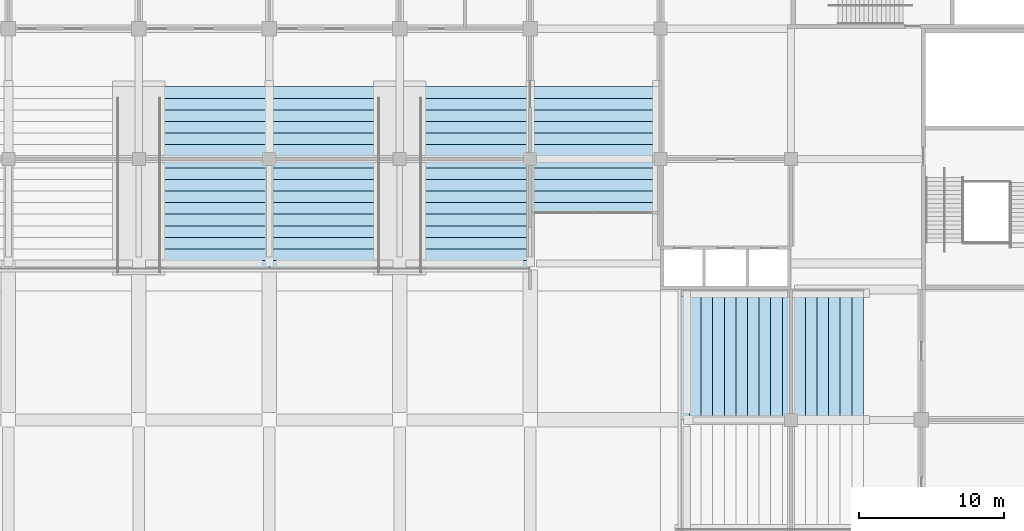
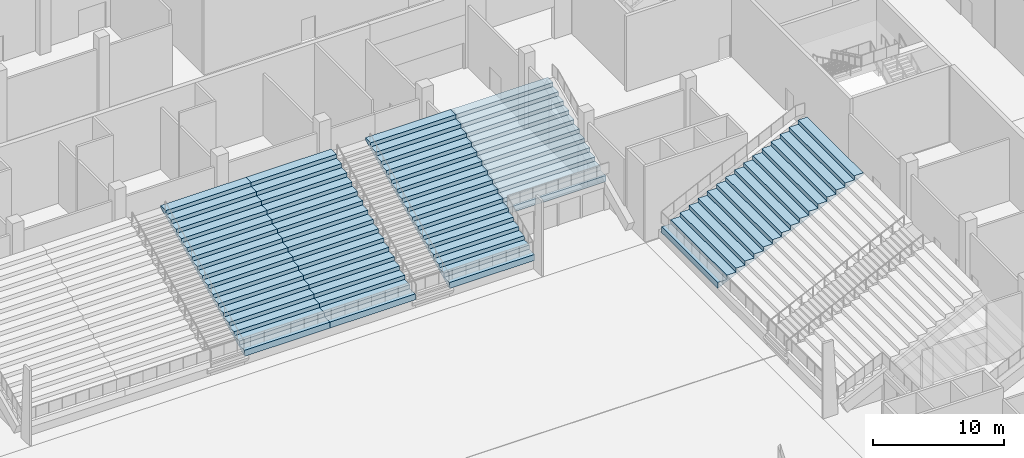
# One storey, part 50 of 92: 5 slabs.
"""IFC4 building model written with IfcOpenShell, lengths in metres."""

from ifc_helpers import new_model, si_unit, direction, origin, place, context, subcontext, project, spatial, faceted_brep, material, layer, layer_set, type_object, element, save


model = new_model("IFC4")

# Units and contexts
model_context = context("Model", 3, precision=1e-05, world=origin(), true_north=direction((0.0, 1.0)))
body_context = subcontext(model_context, "Body", "Model", "MODEL_VIEW")
ifc_project = project(units=[si_unit("LENGTHUNIT", "METRE"), si_unit("AREAUNIT", "SQUARE_METRE"), si_unit("VOLUMEUNIT", "CUBIC_METRE"), si_unit("PLANEANGLEUNIT", "RADIAN"), si_unit("MASSUNIT", "GRAM", prefix="KILO")], contexts=[model_context])

# Site, building, storey
site_placement = place(None, origin())
site = spatial("IfcSite", under=ifc_project, at=site_placement, CompositionType="ELEMENT")
building_placement = place(site_placement, origin())
building = spatial("IfcBuilding", under=site, at=building_placement, Name="Silverbay Arena", CompositionType="ELEMENT")
storey_placement = place(building_placement, origin())
storey = spatial("IfcBuildingStorey", under=building, at=storey_placement, Name="L00", CompositionType="ELEMENT", Elevation=0.0)

# Slabs
ifc_material = material(Name="Concrete Grade C45 precast", Category="concrete")
ifc_layer = layer(ifc_material, 0.56005859375)
ifc_layer_set = layer_set([ifc_layer], Name="Concrete Grade C45 precast")
slab_type = type_object("IfcSlabType", Name="Precast seating tier lower", PredefinedType="USERDEFINED", material=ifc_layer_set)
slab_1_placement = place(storey_placement, origin())
element("IfcSlab", 1, at=slab_1_placement, inside=storey, type_object=slab_type, Name="Stand North lower bay 4", ObjectType="SEATING TIER", PredefinedType="USERDEFINED", context=body_context, shape_type="Brep", body=[
    faceted_brep([(127.5, 100.199951171875, 1.300048828125), (127.5, 101.0, 1.300048828125), (127.5, 101.0, 1.679931640625), (127.5, 101.800048828125, 1.679931640625), (127.5, 101.800048828125, 2.06005859375), (127.5, 102.60009765625, 2.06005859375), (127.5, 102.60009765625, 2.43994140625), (127.5, 103.39990234375, 2.43994140625), (127.5, 103.39990234375, 2.820068359375), (127.5, 104.199951171875, 2.820068359375), (127.5, 104.199951171875, 3.199951171875), (127.5, 105.0, 3.199951171875), (127.5, 105.0, 3.580078125), (127.5, 105.800048828125, 3.580078125), (127.5, 105.800048828125, 3.9599609375), (127.5, 106.60009765625, 3.9599609375), (127.5, 106.60009765625, 4.340087890625), (127.5, 107.39990234375, 4.340087890625), (127.5, 107.39990234375, 4.719970703125), (127.5, 108.199951171875, 4.719970703125), (127.5, 108.199951171875, 5.10009765625), (127.5, 109.0, 5.10009765625), (127.5, 109.0, 5.47998046875), (127.5, 109.800048828125, 5.47998046875), (127.5, 109.800048828125, 5.860107421875), (127.5, 110.60009765625, 5.860107421875), (127.5, 110.60009765625, 6.239990234375), (127.5, 111.39990234375, 6.239990234375), (127.5, 111.39990234375, 6.6201171875), (127.5, 112.199951171875, 6.6201171875), (127.5, 112.199951171875, 7.0), (127.5, 113.0, 7.0), (127.5, 113.0, 6.820068359375), (127.5, 100.199951171875, 0.739990234375), (135.0, 100.199951171875, 0.739990234375), (135.0, 113.0, 6.820068359375), (135.0, 113.0, 7.0), (135.0, 112.199951171875, 7.0), (135.0, 112.199951171875, 6.6201171875), (135.0, 111.39990234375, 6.6201171875), (135.0, 111.39990234375, 6.239990234375), (135.0, 110.60009765625, 6.239990234375), (135.0, 110.60009765625, 5.860107421875), (135.0, 109.800048828125, 5.860107421875), (135.0, 109.800048828125, 5.47998046875), (135.0, 109.0, 5.47998046875), (135.0, 109.0, 5.10009765625), (135.0, 108.199951171875, 5.10009765625), (135.0, 108.199951171875, 4.719970703125), (135.0, 107.39990234375, 4.719970703125), (135.0, 107.39990234375, 4.340087890625), (135.0, 106.60009765625, 4.340087890625), (135.0, 106.60009765625, 3.9599609375), (135.0, 105.800048828125, 3.9599609375), (135.0, 105.800048828125, 3.580078125), (135.0, 105.0, 3.580078125), (135.0, 105.0, 3.199951171875), (135.0, 104.199951171875, 3.199951171875), (135.0, 104.199951171875, 2.820068359375), (135.0, 103.39990234375, 2.820068359375), (135.0, 103.39990234375, 2.43994140625), (135.0, 102.60009765625, 2.43994140625), (135.0, 102.60009765625, 2.06005859375), (135.0, 101.800048828125, 2.06005859375), (135.0, 101.800048828125, 1.679931640625), (135.0, 101.0, 1.679931640625), (135.0, 101.0, 1.300048828125), (135.0, 100.199951171875, 1.300048828125)], [[[0, 1, 2, 3, 4, 5, 6, 7, 8, 9, 10, 11, 12, 13, 14, 15, 16, 17, 18, 19, 20, 21, 22, 23, 24, 25, 26, 27, 28, 29, 30, 31, 32, 33]], [[34, 35, 36, 37, 38, 39, 40, 41, 42, 43, 44, 45, 46, 47, 48, 49, 50, 51, 52, 53, 54, 55, 56, 57, 58, 59, 60, 61, 62, 63, 64, 65, 66, 67]], [[67, 66, 1, 0]], [[66, 65, 2, 1]], [[65, 64, 3, 2]], [[64, 63, 4, 3]], [[63, 62, 5, 4]], [[62, 61, 6, 5]], [[61, 60, 7, 6]], [[60, 59, 8, 7]], [[59, 58, 9, 8]], [[58, 57, 10, 9]], [[57, 56, 11, 10]], [[56, 55, 12, 11]], [[55, 54, 13, 12]], [[54, 53, 14, 13]], [[53, 52, 15, 14]], [[52, 51, 16, 15]], [[51, 50, 17, 16]], [[50, 49, 18, 17]], [[49, 48, 19, 18]], [[48, 47, 20, 19]], [[47, 46, 21, 20]], [[46, 45, 22, 21]], [[45, 44, 23, 22]], [[44, 43, 24, 23]], [[43, 42, 25, 24]], [[42, 41, 26, 25]], [[41, 40, 27, 26]], [[40, 39, 28, 27]], [[39, 38, 29, 28]], [[38, 37, 30, 29]], [[37, 36, 31, 30]], [[36, 35, 32, 31]], [[35, 34, 33, 32]], [[34, 67, 0, 33]]]),
])
slab_2_placement = place(storey_placement, origin())
element("IfcSlab", 2, at=slab_2_placement, inside=storey, type_object=slab_type, Name="Stand North lower bay 5", ObjectType="SEATING TIER", PredefinedType="USERDEFINED", context=body_context, shape_type="Brep", body=[
    faceted_brep([(135.0, 100.199951171875, 1.300048828125), (135.0, 101.0, 1.300048828125), (135.0, 101.0, 1.679931640625), (135.0, 101.800048828125, 1.679931640625), (135.0, 101.800048828125, 2.06005859375), (135.0, 102.60009765625, 2.06005859375), (135.0, 102.60009765625, 2.43994140625), (135.0, 103.39990234375, 2.43994140625), (135.0, 103.39990234375, 2.820068359375), (135.0, 104.199951171875, 2.820068359375), (135.0, 104.199951171875, 3.199951171875), (135.0, 105.0, 3.199951171875), (135.0, 105.0, 3.580078125), (135.0, 105.800048828125, 3.580078125), (135.0, 105.800048828125, 3.9599609375), (135.0, 106.60009765625, 3.9599609375), (135.0, 106.60009765625, 4.340087890625), (135.0, 107.39990234375, 4.340087890625), (135.0, 107.39990234375, 4.719970703125), (135.0, 108.199951171875, 4.719970703125), (135.0, 108.199951171875, 5.10009765625), (135.0, 109.0, 5.10009765625), (135.0, 109.0, 5.47998046875), (135.0, 109.800048828125, 5.47998046875), (135.0, 109.800048828125, 5.860107421875), (135.0, 110.60009765625, 5.860107421875), (135.0, 110.60009765625, 6.239990234375), (135.0, 111.39990234375, 6.239990234375), (135.0, 111.39990234375, 6.6201171875), (135.0, 112.199951171875, 6.6201171875), (135.0, 112.199951171875, 7.0), (135.0, 113.0, 7.0), (135.0, 113.0, 6.820068359375), (135.0, 100.199951171875, 0.739990234375), (142.5, 100.199951171875, 0.739990234375), (142.5, 113.0, 6.820068359375), (142.5, 113.0, 7.0), (142.5, 112.199951171875, 7.0), (142.5, 112.199951171875, 6.6201171875), (142.5, 111.39990234375, 6.6201171875), (142.5, 111.39990234375, 6.239990234375), (142.5, 110.60009765625, 6.239990234375), (142.5, 110.60009765625, 5.860107421875), (142.5, 109.800048828125, 5.860107421875), (142.5, 109.800048828125, 5.47998046875), (142.5, 109.0, 5.47998046875), (142.5, 109.0, 5.10009765625), (142.5, 108.199951171875, 5.10009765625), (142.5, 108.199951171875, 4.719970703125), (142.5, 107.39990234375, 4.719970703125), (142.5, 107.39990234375, 4.340087890625), (142.5, 106.60009765625, 4.340087890625), (142.5, 106.60009765625, 3.9599609375), (142.5, 105.800048828125, 3.9599609375), (142.5, 105.800048828125, 3.580078125), (142.5, 105.0, 3.580078125), (142.5, 105.0, 3.199951171875), (142.5, 104.199951171875, 3.199951171875), (142.5, 104.199951171875, 2.820068359375), (142.5, 103.39990234375, 2.820068359375), (142.5, 103.39990234375, 2.43994140625), (142.5, 102.60009765625, 2.43994140625), (142.5, 102.60009765625, 2.06005859375), (142.5, 101.800048828125, 2.06005859375), (142.5, 101.800048828125, 1.679931640625), (142.5, 101.0, 1.679931640625), (142.5, 101.0, 1.300048828125), (142.5, 100.199951171875, 1.300048828125)], [[[0, 1, 2, 3, 4, 5, 6, 7, 8, 9, 10, 11, 12, 13, 14, 15, 16, 17, 18, 19, 20, 21, 22, 23, 24, 25, 26, 27, 28, 29, 30, 31, 32, 33]], [[34, 35, 36, 37, 38, 39, 40, 41, 42, 43, 44, 45, 46, 47, 48, 49, 50, 51, 52, 53, 54, 55, 56, 57, 58, 59, 60, 61, 62, 63, 64, 65, 66, 67]], [[67, 66, 1, 0]], [[66, 65, 2, 1]], [[65, 64, 3, 2]], [[64, 63, 4, 3]], [[63, 62, 5, 4]], [[62, 61, 6, 5]], [[61, 60, 7, 6]], [[60, 59, 8, 7]], [[59, 58, 9, 8]], [[58, 57, 10, 9]], [[57, 56, 11, 10]], [[56, 55, 12, 11]], [[55, 54, 13, 12]], [[54, 53, 14, 13]], [[53, 52, 15, 14]], [[52, 51, 16, 15]], [[51, 50, 17, 16]], [[50, 49, 18, 17]], [[49, 48, 19, 18]], [[48, 47, 20, 19]], [[47, 46, 21, 20]], [[46, 45, 22, 21]], [[45, 44, 23, 22]], [[44, 43, 24, 23]], [[43, 42, 25, 24]], [[42, 41, 26, 25]], [[41, 40, 27, 26]], [[40, 39, 28, 27]], [[39, 38, 29, 28]], [[38, 37, 30, 29]], [[37, 36, 31, 30]], [[36, 35, 32, 31]], [[35, 34, 33, 32]], [[34, 67, 0, 33]]]),
])
slab_3_placement = place(storey_placement, origin())
element("IfcSlab", 3, at=slab_3_placement, inside=storey, type_object=slab_type, Name="Stand North lower bay 6", ObjectType="SEATING TIER", PredefinedType="USERDEFINED", context=body_context, shape_type="Brep", body=[
    faceted_brep([(145.5, 100.199951171875, 1.300048828125), (145.5, 101.0, 1.300048828125), (145.5, 101.0, 1.679931640625), (145.5, 101.800048828125, 1.679931640625), (145.5, 101.800048828125, 2.06005859375), (145.5, 102.60009765625, 2.06005859375), (145.5, 102.60009765625, 2.43994140625), (145.5, 103.39990234375, 2.43994140625), (145.5, 103.39990234375, 2.820068359375), (145.5, 104.199951171875, 2.820068359375), (145.5, 104.199951171875, 3.199951171875), (145.5, 105.0, 3.199951171875), (145.5, 105.0, 3.580078125), (145.5, 105.800048828125, 3.580078125), (145.5, 105.800048828125, 3.9599609375), (145.5, 106.60009765625, 3.9599609375), (145.5, 106.60009765625, 4.340087890625), (145.5, 107.39990234375, 4.340087890625), (145.5, 107.39990234375, 4.719970703125), (145.5, 108.199951171875, 4.719970703125), (145.5, 108.199951171875, 5.10009765625), (145.5, 109.0, 5.10009765625), (145.5, 109.0, 5.47998046875), (145.5, 109.800048828125, 5.47998046875), (145.5, 109.800048828125, 5.860107421875), (145.5, 110.60009765625, 5.860107421875), (145.5, 110.60009765625, 6.239990234375), (145.5, 111.39990234375, 6.239990234375), (145.5, 111.39990234375, 6.6201171875), (145.5, 112.199951171875, 6.6201171875), (145.5, 112.199951171875, 7.0), (145.5, 113.0, 7.0), (145.5, 113.0, 6.820068359375), (145.5, 100.199951171875, 0.739990234375), (153.0, 100.199951171875, 0.739990234375), (153.0, 113.0, 6.820068359375), (153.0, 113.0, 7.0), (153.0, 112.199951171875, 7.0), (153.0, 112.199951171875, 6.6201171875), (153.0, 111.39990234375, 6.6201171875), (153.0, 111.39990234375, 6.239990234375), (153.0, 110.60009765625, 6.239990234375), (153.0, 110.60009765625, 5.860107421875), (153.0, 109.800048828125, 5.860107421875), (153.0, 109.800048828125, 5.47998046875), (153.0, 109.0, 5.47998046875), (153.0, 109.0, 5.10009765625), (153.0, 108.199951171875, 5.10009765625), (153.0, 108.199951171875, 4.719970703125), (153.0, 107.39990234375, 4.719970703125), (153.0, 107.39990234375, 4.340087890625), (153.0, 106.60009765625, 4.340087890625), (153.0, 106.60009765625, 3.9599609375), (153.0, 105.800048828125, 3.9599609375), (153.0, 105.800048828125, 3.580078125), (153.0, 105.0, 3.580078125), (153.0, 105.0, 3.199951171875), (153.0, 104.199951171875, 3.199951171875), (153.0, 104.199951171875, 2.820068359375), (153.0, 103.39990234375, 2.820068359375), (153.0, 103.39990234375, 2.43994140625), (153.0, 102.60009765625, 2.43994140625), (153.0, 102.60009765625, 2.06005859375), (153.0, 101.800048828125, 2.06005859375), (153.0, 101.800048828125, 1.679931640625), (153.0, 101.0, 1.679931640625), (153.0, 101.0, 1.300048828125), (153.0, 100.199951171875, 1.300048828125)], [[[0, 1, 2, 3, 4, 5, 6, 7, 8, 9, 10, 11, 12, 13, 14, 15, 16, 17, 18, 19, 20, 21, 22, 23, 24, 25, 26, 27, 28, 29, 30, 31, 32, 33]], [[34, 35, 36, 37, 38, 39, 40, 41, 42, 43, 44, 45, 46, 47, 48, 49, 50, 51, 52, 53, 54, 55, 56, 57, 58, 59, 60, 61, 62, 63, 64, 65, 66, 67]], [[67, 66, 1, 0]], [[66, 65, 2, 1]], [[65, 64, 3, 2]], [[64, 63, 4, 3]], [[63, 62, 5, 4]], [[62, 61, 6, 5]], [[61, 60, 7, 6]], [[60, 59, 8, 7]], [[59, 58, 9, 8]], [[58, 57, 10, 9]], [[57, 56, 11, 10]], [[56, 55, 12, 11]], [[55, 54, 13, 12]], [[54, 53, 14, 13]], [[53, 52, 15, 14]], [[52, 51, 16, 15]], [[51, 50, 17, 16]], [[50, 49, 18, 17]], [[49, 48, 19, 18]], [[48, 47, 20, 19]], [[47, 46, 21, 20]], [[46, 45, 22, 21]], [[45, 44, 23, 22]], [[44, 43, 24, 23]], [[43, 42, 25, 24]], [[42, 41, 26, 25]], [[41, 40, 27, 26]], [[40, 39, 28, 27]], [[39, 38, 29, 28]], [[38, 37, 30, 29]], [[37, 36, 31, 30]], [[36, 35, 32, 31]], [[35, 34, 33, 32]], [[34, 67, 0, 33]]]),
])
slab_4_placement = place(storey_placement, origin())
element("IfcSlab", 4, at=slab_4_placement, inside=storey, type_object=slab_type, Name="Stand North lower bay 7", ObjectType="SEATING TIER", PredefinedType="USERDEFINED", context=body_context, shape_type="Brep", body=[
    faceted_brep([(153.0, 104.199951171875, 3.199951171875), (153.0, 105.0, 3.199951171875), (153.0, 105.0, 3.580078125), (153.0, 105.800048828125, 3.580078125), (153.0, 105.800048828125, 3.9599609375), (153.0, 106.60009765625, 3.9599609375), (153.0, 106.60009765625, 4.340087890625), (153.0, 107.39990234375, 4.340087890625), (153.0, 107.39990234375, 4.719970703125), (153.0, 108.199951171875, 4.719970703125), (153.0, 108.199951171875, 5.10009765625), (153.0, 109.0, 5.10009765625), (153.0, 109.0, 5.47998046875), (153.0, 109.800048828125, 5.47998046875), (153.0, 109.800048828125, 5.860107421875), (153.0, 110.60009765625, 5.860107421875), (153.0, 110.60009765625, 6.239990234375), (153.0, 111.39990234375, 6.239990234375), (153.0, 111.39990234375, 6.6201171875), (153.0, 112.199951171875, 6.6201171875), (153.0, 112.199951171875, 7.0), (153.0, 113.0, 7.0), (153.0, 113.0, 6.820068359375), (153.0, 104.199951171875, 2.639892578125), (161.550048828125, 104.199951171875, 2.639892578125), (161.550048828125, 113.0, 6.820068359375), (161.550048828125, 113.0, 7.0), (161.550048828125, 112.199951171875, 7.0), (161.550048828125, 112.199951171875, 6.6201171875), (161.550048828125, 111.39990234375, 6.6201171875), (161.550048828125, 111.39990234375, 6.239990234375), (161.550048828125, 110.60009765625, 6.239990234375), (161.550048828125, 110.60009765625, 5.860107421875), (161.550048828125, 109.800048828125, 5.860107421875), (161.550048828125, 109.800048828125, 5.47998046875), (161.550048828125, 109.0, 5.47998046875), (161.550048828125, 109.0, 5.10009765625), (161.550048828125, 108.199951171875, 5.10009765625), (161.550048828125, 108.199951171875, 4.719970703125), (161.550048828125, 107.39990234375, 4.719970703125), (161.550048828125, 107.39990234375, 4.340087890625), (161.550048828125, 106.60009765625, 4.340087890625), (161.550048828125, 106.60009765625, 3.9599609375), (161.550048828125, 105.800048828125, 3.9599609375), (161.550048828125, 105.800048828125, 3.580078125), (161.550048828125, 105.0, 3.580078125), (161.550048828125, 105.0, 3.199951171875), (161.550048828125, 104.199951171875, 3.199951171875)], [[[0, 1, 2, 3, 4, 5, 6, 7, 8, 9, 10, 11, 12, 13, 14, 15, 16, 17, 18, 19, 20, 21, 22, 23]], [[24, 25, 26, 27, 28, 29, 30, 31, 32, 33, 34, 35, 36, 37, 38, 39, 40, 41, 42, 43, 44, 45, 46, 47]], [[47, 46, 1, 0]], [[46, 45, 2, 1]], [[45, 44, 3, 2]], [[44, 43, 4, 3]], [[43, 42, 5, 4]], [[42, 41, 6, 5]], [[41, 40, 7, 6]], [[40, 39, 8, 7]], [[39, 38, 9, 8]], [[38, 37, 10, 9]], [[37, 36, 11, 10]], [[36, 35, 12, 11]], [[35, 34, 13, 12]], [[34, 33, 14, 13]], [[33, 32, 15, 14]], [[32, 31, 16, 15]], [[31, 30, 17, 16]], [[30, 29, 18, 17]], [[29, 28, 19, 18]], [[28, 27, 20, 19]], [[27, 26, 21, 20]], [[26, 25, 22, 21]], [[25, 24, 23, 22]], [[24, 47, 0, 23]]]),
])
slab_5_placement = place(storey_placement, origin())
element("IfcSlab", 5, at=slab_5_placement, inside=storey, type_object=slab_type, Name="Stand East lower bay 4", ObjectType="SEATING TIER", PredefinedType="USERDEFINED", context=body_context, shape_type="Brep", body=[
    faceted_brep([(163.199951171875, 90.0, 0.739990234375), (176.0, 90.0, 6.820068359375), (176.0, 90.0, 7.0), (175.199951171875, 90.0, 7.0), (175.199951171875, 90.0, 6.6201171875), (174.39990234375, 90.0, 6.6201171875), (174.39990234375, 90.0, 6.239990234375), (173.60009765625, 90.0, 6.239990234375), (173.60009765625, 90.0, 5.860107421875), (172.800048828125, 90.0, 5.860107421875), (172.800048828125, 90.0, 5.47998046875), (172.0, 90.0, 5.47998046875), (172.0, 90.0, 5.10009765625), (171.199951171875, 90.0, 5.10009765625), (171.199951171875, 90.0, 4.719970703125), (170.39990234375, 90.0, 4.719970703125), (170.39990234375, 90.0, 4.340087890625), (169.60009765625, 90.0, 4.340087890625), (169.60009765625, 90.0, 3.9599609375), (168.800048828125, 90.0, 3.9599609375), (168.800048828125, 90.0, 3.580078125), (168.0, 90.0, 3.580078125), (168.0, 90.0, 3.199951171875), (167.199951171875, 90.0, 3.199951171875), (167.199951171875, 90.0, 2.820068359375), (166.39990234375, 90.0, 2.820068359375), (166.39990234375, 90.0, 2.43994140625), (165.60009765625, 90.0, 2.43994140625), (165.60009765625, 90.0, 2.06005859375), (164.800048828125, 90.0, 2.06005859375), (164.800048828125, 90.0, 1.679931640625), (164.0, 90.0, 1.679931640625), (164.0, 90.0, 1.300048828125), (163.199951171875, 90.0, 1.300048828125), (163.199951171875, 98.550048828125, 1.300048828125), (164.0, 98.550048828125, 1.300048828125), (164.0, 98.550048828125, 1.679931640625), (164.800048828125, 98.550048828125, 1.679931640625), (164.800048828125, 98.550048828125, 2.06005859375), (165.60009765625, 98.550048828125, 2.06005859375), (165.60009765625, 98.550048828125, 2.43994140625), (166.39990234375, 98.550048828125, 2.43994140625), (166.39990234375, 98.550048828125, 2.820068359375), (167.199951171875, 98.550048828125, 2.820068359375), (167.199951171875, 98.550048828125, 3.199951171875), (168.0, 98.550048828125, 3.199951171875), (168.0, 98.550048828125, 3.580078125), (168.800048828125, 98.550048828125, 3.580078125), (168.800048828125, 98.550048828125, 3.9599609375), (169.60009765625, 98.550048828125, 3.9599609375), (169.60009765625, 98.550048828125, 4.340087890625), (170.39990234375, 98.550048828125, 4.340087890625), (170.39990234375, 98.550048828125, 4.719970703125), (171.199951171875, 98.550048828125, 4.719970703125), (171.199951171875, 98.550048828125, 5.10009765625), (172.0, 98.550048828125, 5.10009765625), (172.0, 98.550048828125, 5.47998046875), (172.800048828125, 98.550048828125, 5.47998046875), (172.800048828125, 98.550048828125, 5.860107421875), (173.60009765625, 98.550048828125, 5.860107421875), (173.60009765625, 98.550048828125, 6.239990234375), (174.39990234375, 98.550048828125, 6.239990234375), (174.39990234375, 98.550048828125, 6.6201171875), (175.199951171875, 98.550048828125, 6.6201171875), (175.199951171875, 98.550048828125, 7.0), (176.0, 98.550048828125, 7.0), (176.0, 98.550048828125, 6.820068359375), (163.199951171875, 98.550048828125, 0.739990234375)], [[[0, 1, 2, 3, 4, 5, 6, 7, 8, 9, 10, 11, 12, 13, 14, 15, 16, 17, 18, 19, 20, 21, 22, 23, 24, 25, 26, 27, 28, 29, 30, 31, 32, 33]], [[34, 35, 36, 37, 38, 39, 40, 41, 42, 43, 44, 45, 46, 47, 48, 49, 50, 51, 52, 53, 54, 55, 56, 57, 58, 59, 60, 61, 62, 63, 64, 65, 66, 67]], [[33, 32, 35, 34]], [[32, 31, 36, 35]], [[31, 30, 37, 36]], [[30, 29, 38, 37]], [[29, 28, 39, 38]], [[28, 27, 40, 39]], [[27, 26, 41, 40]], [[26, 25, 42, 41]], [[25, 24, 43, 42]], [[24, 23, 44, 43]], [[23, 22, 45, 44]], [[22, 21, 46, 45]], [[21, 20, 47, 46]], [[20, 19, 48, 47]], [[19, 18, 49, 48]], [[18, 17, 50, 49]], [[17, 16, 51, 50]], [[16, 15, 52, 51]], [[15, 14, 53, 52]], [[14, 13, 54, 53]], [[13, 12, 55, 54]], [[12, 11, 56, 55]], [[11, 10, 57, 56]], [[10, 9, 58, 57]], [[9, 8, 59, 58]], [[8, 7, 60, 59]], [[7, 6, 61, 60]], [[6, 5, 62, 61]], [[5, 4, 63, 62]], [[4, 3, 64, 63]], [[3, 2, 65, 64]], [[2, 1, 66, 65]], [[1, 0, 67, 66]], [[0, 33, 34, 67]]]),
])

save(model, "model.ifc")
